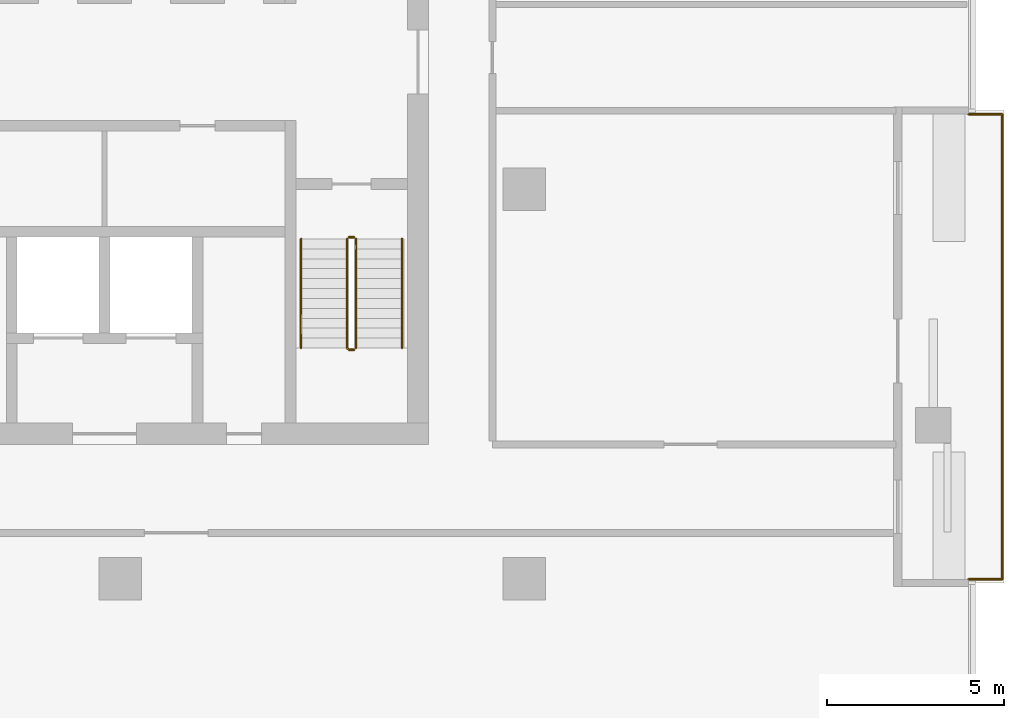
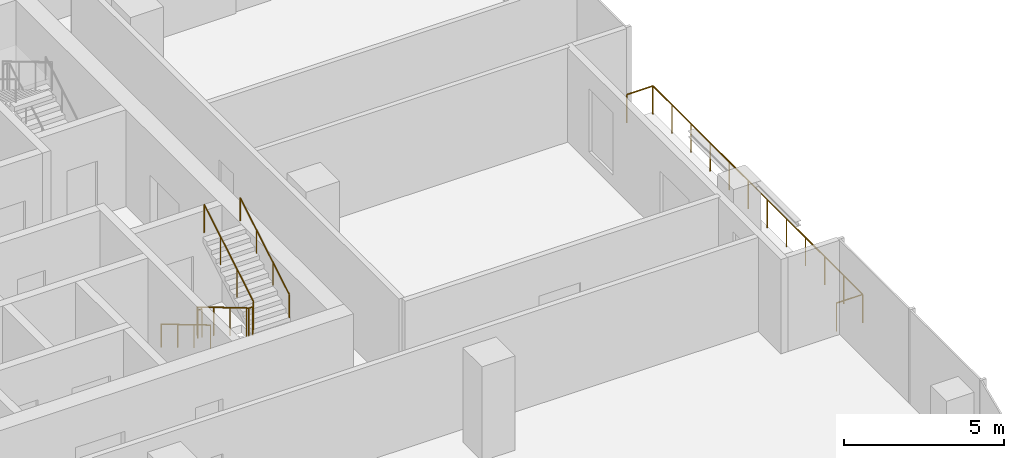
# One storey, part 12 of 13: 6 railings.
"""IFC4 building model written with IfcOpenShell, lengths in metres."""

from ifc_helpers import new_model, si_unit, direction, frame, origin, origin_2d, place, context, subcontext, project, spatial, circle, extrude, material, type_object, element, save


model = new_model("IFC4")

# Units and contexts
model_context = context("Model", 3, precision=1e-05, world=origin(), true_north=direction((0.0, 1.0)))
body_context = subcontext(model_context, "Body", "Model", "MODEL_VIEW")
ifc_project = project(units=[si_unit("LENGTHUNIT", "METRE"), si_unit("AREAUNIT", "SQUARE_METRE"), si_unit("VOLUMEUNIT", "CUBIC_METRE"), si_unit("PLANEANGLEUNIT", "RADIAN"), si_unit("MASSUNIT", "GRAM", prefix="KILO")], contexts=[model_context])

# Site, building, storey
site_placement = place(None, origin())
site = spatial("IfcSite", under=ifc_project, at=site_placement, CompositionType="ELEMENT")
building_placement = place(site_placement, origin())
building = spatial("IfcBuilding", under=site, at=building_placement, Name="Mopane Tessera Tower", CompositionType="ELEMENT")
storey_placement = place(building_placement, frame((0.0, 0.0, 283.39990234375)))
storey = spatial("IfcBuildingStorey", under=building, at=storey_placement, Name="L61", CompositionType="ELEMENT", Elevation=283.39990234375)

# Railings
ifc_material_1 = material(Name="Powder-coated steel balustrade", Category="steel")
railing_type_1 = type_object("IfcRailingType", Name="Escape stair guard 1100 mm", PredefinedType="GUARDRAIL", material=ifc_material_1)
railing_1_placement = place(storey_placement, frame((12.10009765625, -1.39990234375, 0.166748046875)))
element("IfcRailing", 1, at=railing_1_placement, inside=storey, type_object=railing_type_1, Name="L61 ST3 stair guard 1", PredefinedType="GUARDRAIL", context=body_context, shape_type="SweptSolid", body=[
    extrude(circle(Radius=0.02392578125, at=origin_2d()), frame((0.0, 0.0, 1.076171875), z_axis=(0.0, -0.859308565015, 0.511457515432), x_axis=(1.0, 0.0, 0.0)), (0.0, 0.0, 1.0), 3.58447265625),
    extrude(circle(Radius=0.02392578125, at=origin_2d()), frame((0.0, -3.080078125, 2.9091796875), z_axis=(0.705375805398, -0.708833529934, 0.0), x_axis=(0.708833529934, 0.705375805398, 0.0)), (0.0, 0.0, 1.0), 0.070556640625),
    extrude(circle(Radius=0.02392578125, at=origin_2d()), frame((0.0498046875, -3.130126953125, 2.9091796875), z_axis=(1.0, 0.0, 0.0), x_axis=(0.0, 1.0, 0.0)), (0.0, 0.0, 1.0), 0.150146484375),
    extrude(circle(Radius=0.02099609375, at=origin_2d()), origin(), (0.0, 0.0, 1.0), 1.052001953125),
    extrude(circle(Radius=0.02099609375, at=origin_2d()), frame((0.0, -1.026611328125, 0.611083984375)), (0.0, 0.0, 1.0), 1.052001953125),
    extrude(circle(Radius=0.02099609375, at=origin_2d()), frame((0.0, -2.053466796875, 1.22216796875)), (0.0, 0.0, 1.0), 1.052001953125),
    extrude(circle(Radius=0.02099609375, at=origin_2d()), frame((0.0, -3.080078125, 1.833251953125)), (0.0, 0.0, 1.0), 1.052001953125),
    extrude(circle(Radius=0.02099609375, at=origin_2d()), frame((0.0498046875, -3.130126953125, 1.833251953125)), (0.0, 0.0, 1.0), 1.052001953125),
    extrude(circle(Radius=0.02099609375, at=origin_2d()), frame((0.199951171875, -3.130126953125, 1.833251953125)), (0.0, 0.0, 1.0), 1.052001953125),
])
railing_2_placement = place(storey_placement, frame((12.35009765625, -4.47998046875, 2.166748046875)))
element("IfcRailing", 2, at=railing_2_placement, inside=storey, type_object=railing_type_1, Name="L61 ST3 stair guard 2", PredefinedType="GUARDRAIL", context=body_context, shape_type="SweptSolid", body=[
    extrude(circle(Radius=0.02392578125, at=origin_2d()), frame((0.0, 0.0, 1.076171875), z_axis=(0.0, 0.859308565015, 0.511457515432), x_axis=(-1.0, 0.0, 0.0)), (0.0, 0.0, 1.0), 3.58447265625),
    extrude(circle(Radius=0.02099609375, at=origin_2d()), origin(), (0.0, 0.0, 1.0), 1.052001953125),
    extrude(circle(Radius=0.02099609375, at=origin_2d()), frame((0.0, 1.026611328125, 0.611083984375)), (0.0, 0.0, 1.0), 1.052001953125),
    extrude(circle(Radius=0.02099609375, at=origin_2d()), frame((0.0, 2.053466796875, 1.22216796875)), (0.0, 0.0, 1.0), 1.052001953125),
    extrude(circle(Radius=0.02099609375, at=origin_2d()), frame((0.0, 3.080078125, 1.833251953125)), (0.0, 0.0, 1.0), 1.052001953125),
])
railing_3_placement = place(storey_placement, frame((12.14990234375, -1.35009765625, 0.0)))
element("IfcRailing", 3, at=railing_3_placement, inside=storey, type_object=railing_type_1, Name="L61 ST3 stair guard 3", PredefinedType="GUARDRAIL", context=body_context, shape_type="SweptSolid", body=[
    extrude(circle(Radius=0.02392578125, at=origin_2d()), frame((0.0, 0.0, 1.076171875), z_axis=(1.0, 0.0, 0.0), x_axis=(0.0, 1.0, 0.0)), (0.0, 0.0, 1.0), 0.150146484375),
    extrude(circle(Radius=0.02099609375, at=origin_2d()), origin(), (0.0, 0.0, 1.0), 1.052001953125),
    extrude(circle(Radius=0.02099609375, at=origin_2d()), frame((0.150146484375, 0.0, 0.0)), (0.0, 0.0, 1.0), 1.052001953125),
])
ifc_material_2 = material(Name="Powder-coated steel balustrade", Category="steel")
railing_type_2 = type_object("IfcRailingType", Name="Escape stair handrail 900 mm", PredefinedType="HANDRAIL", material=ifc_material_2)
railing_4_placement = place(storey_placement, frame((10.800048828125, -1.39990234375, 0.166748046875)))
element("IfcRailing", 4, at=railing_4_placement, inside=storey, type_object=railing_type_2, Name="L61 ST3 stair handrail 1", PredefinedType="HANDRAIL", context=body_context, shape_type="SweptSolid", body=[
    extrude(circle(Radius=0.02392578125, at=origin_2d()), frame((0.0, 0.0, 0.8759765625), z_axis=(0.0, -0.859308565015, 0.511457515432), x_axis=(1.0, 0.0, 0.0)), (0.0, 0.0, 1.0), 3.58447265625),
    extrude(circle(Radius=0.02099609375, at=origin_2d()), origin(), (0.0, 0.0, 1.0), 0.851806640625),
    extrude(circle(Radius=0.02099609375, at=origin_2d()), frame((0.0, -1.026611328125, 0.611083984375)), (0.0, 0.0, 1.0), 0.851806640625),
    extrude(circle(Radius=0.02099609375, at=origin_2d()), frame((0.0, -2.053466796875, 1.22216796875)), (0.0, 0.0, 1.0), 0.851806640625),
    extrude(circle(Radius=0.02099609375, at=origin_2d()), frame((0.0, -3.080078125, 1.833251953125)), (0.0, 0.0, 1.0), 0.851806640625),
])
railing_5_placement = place(storey_placement, frame((13.64990234375, -4.47998046875, 2.166748046875)))
element("IfcRailing", 5, at=railing_5_placement, inside=storey, type_object=railing_type_2, Name="L61 ST3 stair handrail 2", PredefinedType="HANDRAIL", context=body_context, shape_type="SweptSolid", body=[
    extrude(circle(Radius=0.02392578125, at=origin_2d()), frame((0.0, 0.0, 0.8759765625), z_axis=(0.0, 0.859308565015, 0.511457515432), x_axis=(-1.0, 0.0, 0.0)), (0.0, 0.0, 1.0), 3.58447265625),
    extrude(circle(Radius=0.02099609375, at=origin_2d()), origin(), (0.0, 0.0, 1.0), 0.851806640625),
    extrude(circle(Radius=0.02099609375, at=origin_2d()), frame((0.0, 1.026611328125, 0.611083984375)), (0.0, 0.0, 1.0), 0.851806640625),
    extrude(circle(Radius=0.02099609375, at=origin_2d()), frame((0.0, 2.053466796875, 1.22216796875)), (0.0, 0.0, 1.0), 0.851806640625),
    extrude(circle(Radius=0.02099609375, at=origin_2d()), frame((0.0, 3.080078125, 1.833251953125)), (0.0, 0.0, 1.0), 0.851806640625),
])
ifc_material_3 = material(Name="Stainless steel S316", Category="steel")
railing_type_3 = type_object("IfcRailingType", Name="Terrace guard 1100", PredefinedType="GUARDRAIL", material=ifc_material_3)
railing_6_placement = place(storey_placement, frame((29.64990234375, -11.01123046875, 0.0)))
element("IfcRailing", 6, at=railing_6_placement, inside=storey, type_object=railing_type_3, Name="e:nw:L61:N1:guard", PredefinedType="GUARDRAIL", context=body_context, shape_type="SweptSolid", body=[
    extrude(circle(Radius=0.02392578125, at=origin_2d()), frame((0.0, 0.0, 1.076171875), z_axis=(1.0, 0.0, 0.0), x_axis=(0.0, 1.0, 0.0)), (0.0, 0.0, 1.0), 0.9501953125),
    extrude(circle(Radius=0.02392578125, at=origin_2d()), frame((0.9501953125, 0.0, 1.076171875), z_axis=(0.0, 1.0, 0.0), x_axis=(-1.0, 0.0, 0.0)), (0.0, 0.0, 1.0), 13.133544921875),
    extrude(circle(Radius=0.02392578125, at=origin_2d()), frame((0.9501953125, 13.133544921875, 1.076171875), z_axis=(-1.0, 0.0, 0.0), x_axis=(0.0, -1.0, 0.0)), (0.0, 0.0, 1.0), 0.9501953125),
    extrude(circle(Radius=0.02099609375, at=origin_2d()), origin(), (0.0, 0.0, 1.0), 1.052001953125),
    extrude(circle(Radius=0.02099609375, at=origin_2d()), frame((0.9501953125, 0.0, 0.0)), (0.0, 0.0, 1.0), 1.052001953125),
    extrude(circle(Radius=0.02099609375, at=origin_2d()), frame((0.9501953125, 1.19384765625, 0.0)), (0.0, 0.0, 1.0), 1.052001953125),
    extrude(circle(Radius=0.02099609375, at=origin_2d()), frame((0.9501953125, 2.387939453125, 0.0)), (0.0, 0.0, 1.0), 1.052001953125),
    extrude(circle(Radius=0.02099609375, at=origin_2d()), frame((0.9501953125, 3.581787109375, 0.0)), (0.0, 0.0, 1.0), 1.052001953125),
    extrude(circle(Radius=0.02099609375, at=origin_2d()), frame((0.9501953125, 4.77587890625, 0.0)), (0.0, 0.0, 1.0), 1.052001953125),
    extrude(circle(Radius=0.02099609375, at=origin_2d()), frame((0.9501953125, 5.9697265625, 0.0)), (0.0, 0.0, 1.0), 1.052001953125),
    extrude(circle(Radius=0.02099609375, at=origin_2d()), frame((0.9501953125, 7.163818359375, 0.0)), (0.0, 0.0, 1.0), 1.052001953125),
    extrude(circle(Radius=0.02099609375, at=origin_2d()), frame((0.9501953125, 8.357666015625, 0.0)), (0.0, 0.0, 1.0), 1.052001953125),
    extrude(circle(Radius=0.02099609375, at=origin_2d()), frame((0.9501953125, 9.5517578125, 0.0)), (0.0, 0.0, 1.0), 1.052001953125),
    extrude(circle(Radius=0.02099609375, at=origin_2d()), frame((0.9501953125, 10.74560546875, 0.0)), (0.0, 0.0, 1.0), 1.052001953125),
    extrude(circle(Radius=0.02099609375, at=origin_2d()), frame((0.9501953125, 11.939697265625, 0.0)), (0.0, 0.0, 1.0), 1.052001953125),
    extrude(circle(Radius=0.02099609375, at=origin_2d()), frame((0.9501953125, 13.133544921875, 0.0)), (0.0, 0.0, 1.0), 1.052001953125),
    extrude(circle(Radius=0.02099609375, at=origin_2d()), frame((0.0, 13.133544921875, 0.0)), (0.0, 0.0, 1.0), 1.052001953125),
])

save(model, "model.ifc")
